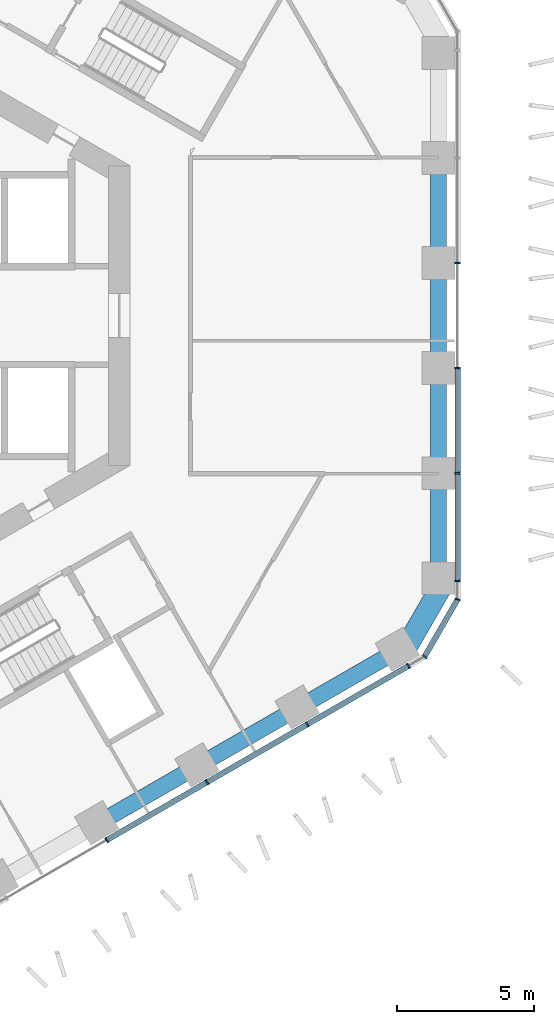
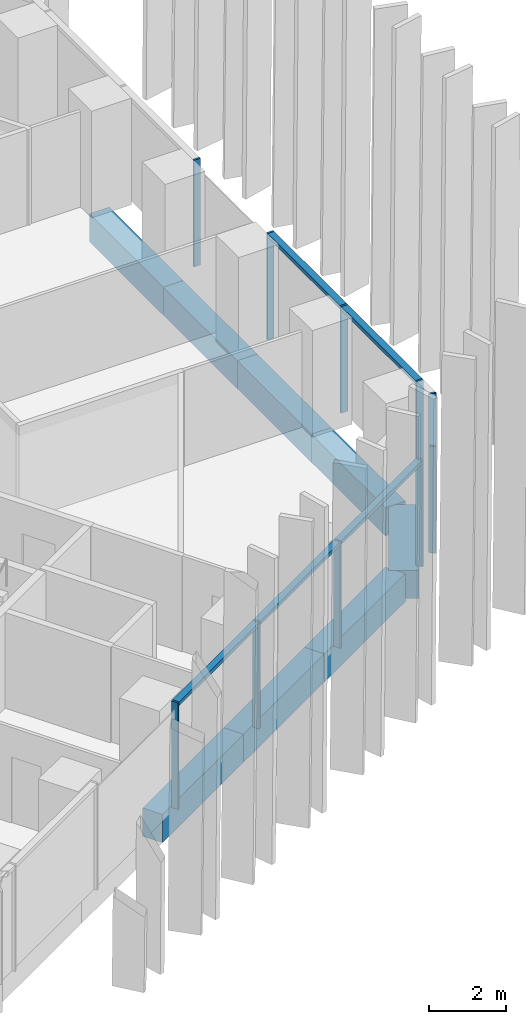
# One storey, part 4 of 19: 13 members, 8 beams, 3 elements without a shape of their own.
"""IFC4 building model written with IfcOpenShell, lengths in metres."""

from ifc_helpers import new_model, si_unit, direction, frame, origin, origin_2d, place, context, subcontext, project, spatial, rectangle, extrude, material, layer, layer_set, material_profile, profile_set, type_object, element, aggregate, save


model = new_model("IFC4")

# Units and contexts
model_context = context("Model", 3, precision=1e-05, world=origin(), true_north=direction((0.0, 1.0)))
body_context = subcontext(model_context, "Body", "Model", "MODEL_VIEW")
ifc_project = project(units=[si_unit("LENGTHUNIT", "METRE"), si_unit("AREAUNIT", "SQUARE_METRE"), si_unit("VOLUMEUNIT", "CUBIC_METRE"), si_unit("PLANEANGLEUNIT", "RADIAN"), si_unit("MASSUNIT", "GRAM", prefix="KILO")], contexts=[model_context])

# Site, building, storey
site_placement = place(None, origin())
site = spatial("IfcSite", under=ifc_project, at=site_placement, CompositionType="ELEMENT")
building_placement = place(site_placement, origin())
building = spatial("IfcBuilding", under=site, at=building_placement, Name="Ayvan Gate Tower", CompositionType="ELEMENT")
storey_placement = place(building_placement, frame((0.0, 0.0, 56.10009765625)))
storey = spatial("IfcBuildingStorey", under=building, at=storey_placement, Name="L14", CompositionType="ELEMENT", Elevation=56.10009765625)

# Beams
ifc_material_1 = material(Name="Concrete C40/50", Category="concrete")
ifc_material_profile_1 = material_profile(ifc_material_1, rectangle(XDim=0.800048828125, YDim=0.89990234375, at=origin_2d()), Name="RC 800x900")
ifc_profile_set_1 = profile_set([ifc_material_profile_1], Name="Concrete C40/50")
beam_type_1 = type_object("IfcBeamType", Name="Corner spandrel beam RC 800x900 C40/50", PredefinedType="BEAM", material=ifc_profile_set_1)
beam_1_placement = place(storey_placement, frame((19.47509765625, -12.37548828125, -0.800048828125), z_axis=(0.499990139034, 0.866031096941, 0.0), x_axis=(-0.866031096941, 0.499990139034, 0.0)))
element("IfcBeam", 1, at=beam_1_placement, inside=storey, type_object=beam_type_1, Name="SB-L14-36", PredefinedType="BEAM", context=body_context, shape_type="SweptSolid", body=[
    extrude(rectangle(XDim=0.800048828125, YDim=0.89990234375, at=origin_2d()), origin(), (0.0, 0.0, 1.0), 3.0),
])
ifc_material_profile_2 = material_profile(ifc_material_1, rectangle(XDim=0.60009765625, YDim=0.89990234375, at=origin_2d()), Name="RC 600x900")
ifc_profile_set_2 = profile_set([ifc_material_profile_2], Name="Concrete C40/50")
beam_type_2 = type_object("IfcBeamType", Name="Spandrel beam RC 600x900 C40/50", PredefinedType="BEAM", material=ifc_profile_set_2)
for number, where, z_axis, x_axis, name in (
    (2, (20.78466796875, -9.667236328125, -0.800048828125), (0.0, 1.0, 0.0), (-1.0, 0.0, 0.0), "SB-L14-1"),
    (3, (20.78466796875, -5.80029296875, -0.800048828125), (0.0, 1.0, 0.0), (-1.0, 0.0, 0.0), "SB-L14-2"),
):
    element("IfcBeam", number, at=place(storey_placement, frame(where, z_axis=z_axis, x_axis=x_axis)), inside=storey, type_object=beam_type_2, Name=name, PredefinedType="BEAM", context=body_context, shape_type="SweptSolid", body=[
        extrude(rectangle(XDim=0.60009765625, YDim=0.89990234375, at=origin_2d()), origin(), (0.0, 0.0, 1.0), 3.866943359375),
    ])
beam_2_placement = place(storey_placement, frame((20.78466796875, -1.933349609375, -0.800048828125), z_axis=(0.0, 1.0, 0.0), x_axis=(-1.0, 0.0, 0.0)))
element("IfcBeam", 4, at=beam_2_placement, inside=storey, type_object=beam_type_2, Name="SB-L14-3", PredefinedType="BEAM", context=body_context, shape_type="SweptSolid", body=[
    extrude(rectangle(XDim=0.60009765625, YDim=0.89990234375, at=origin_2d()), origin(), (0.0, 0.0, 1.0), 3.86669921875),
])
beam_3_placement = place(storey_placement, frame((20.78466796875, 1.933349609375, -0.800048828125), z_axis=(0.0, 1.0, 0.0), x_axis=(-1.0, 0.0, 0.0)))
element("IfcBeam", 5, at=beam_3_placement, inside=storey, type_object=beam_type_2, Name="SB-L14-4", PredefinedType="BEAM", context=body_context, shape_type="SweptSolid", body=[
    extrude(rectangle(XDim=0.60009765625, YDim=0.89990234375, at=origin_2d()), origin(), (0.0, 0.0, 1.0), 3.866943359375),
])
for number, where, z_axis, x_axis, name in (
    (6, (8.3017578125, -18.6064453125, -0.800048828125), (0.866009580528, 0.500027405683, 0.0), (-0.500027405683, 0.866009580528, 0.0), "SB-L14-33"),
    (7, (11.962646484375, -16.49267578125, -0.800048828125), (0.86603458896, 0.499984090472, 0.0), (-0.499984090472, 0.86603458896, 0.0), "SB-L14-34"),
):
    element("IfcBeam", number, at=place(storey_placement, frame(where, z_axis=z_axis, x_axis=x_axis)), inside=storey, type_object=beam_type_2, Name=name, PredefinedType="BEAM", context=body_context, shape_type="SweptSolid", body=[
        extrude(rectangle(XDim=0.60009765625, YDim=0.89990234375, at=origin_2d()), origin(), (0.0, 0.0, 1.0), 4.227294921875),
    ])
beam_4_placement = place(storey_placement, frame((15.62353515625, -14.379150390625, -0.800048828125), z_axis=(0.866024019333, 0.500002397932, 0.0), x_axis=(-0.500002397932, 0.866024019333, 0.0)))
element("IfcBeam", 8, at=beam_4_placement, inside=storey, type_object=beam_type_2, Name="SB-L14-35", PredefinedType="BEAM", context=body_context, shape_type="SweptSolid", body=[
    extrude(rectangle(XDim=0.60009765625, YDim=0.89990234375, at=origin_2d()), origin(), (0.0, 0.0, 1.0), 4.2275390625),
])

# Curtain wall, members
ifc_material_2 = material(Name="Bronze anodised aluminium", Category="aluminium")
ifc_layer_1 = layer(ifc_material_2, 0.199951171875)
ifc_layer_set_1 = layer_set([ifc_layer_1], Name="Bronze anodised aluminium")
curtain_wall_type_1 = type_object("IfcCurtainWallType", Name="Stick curtain wall CW-1", PredefinedType="NOTDEFINED", material=ifc_layer_set_1)
curtain_wall_1_placement = place(storey_placement, origin())
curtain_wall_1 = element("IfcCurtainWall", 9, at=curtain_wall_1_placement, inside=storey, type_object=curtain_wall_type_1, Name="Stick curtain wall CW-1 L14", PredefinedType="NOTDEFINED")
ifc_material_profile_3 = material_profile(ifc_material_2, rectangle(XDim=0.199951171875, YDim=0.06005859375, at=origin_2d()), Name="Stick curtain wall CW-1 mullion 200 x 60")
ifc_profile_set_3 = profile_set([ifc_material_profile_3], Name="Bronze anodised aluminium")
member_type_1 = type_object("IfcMemberType", Name="Stick curtain wall CW-1 mullion 200 x 60", PredefinedType="MULLION", material=ifc_profile_set_3)
member_1_placement = place(storey_placement, frame((8.640625, -19.202880859375, 0.0), z_axis=(0.0, 0.0, 1.0), x_axis=(0.5, -0.866025403784, 0.0)))
member_1 = element("IfcMember", 10, at=member_1_placement, type_object=member_type_1, Name="CW-1 mullion 3", PredefinedType="MULLION", context=body_context, shape_type="SweptSolid", body=[
    extrude(rectangle(XDim=0.199951171875, YDim=0.06005859375, at=origin_2d()), origin(), (0.0, 0.0, 1.0), 3.39990234375),
])
member_2_placement = place(storey_placement, frame((12.309814453125, -17.08447265625, 0.0), z_axis=(0.0, 0.0, 1.0), x_axis=(0.5, -0.866025403784, 0.0)))
member_2 = element("IfcMember", 11, at=member_2_placement, type_object=member_type_1, Name="CW-1 mullion 4", PredefinedType="MULLION", context=body_context, shape_type="SweptSolid", body=[
    extrude(rectangle(XDim=0.199951171875, YDim=0.06005859375, at=origin_2d()), origin(), (0.0, 0.0, 1.0), 3.39990234375),
])
member_3_placement = place(storey_placement, frame((15.980224609375, -14.96533203125, 0.0), z_axis=(0.0, 0.0, 1.0), x_axis=(0.5, -0.866025403784, 0.0)))
member_3 = element("IfcMember", 12, at=member_3_placement, type_object=member_type_1, Name="CW-1 mullion 5", PredefinedType="MULLION", context=body_context, shape_type="SweptSolid", body=[
    extrude(rectangle(XDim=0.199951171875, YDim=0.06005859375, at=origin_2d()), origin(), (0.0, 0.0, 1.0), 3.39990234375),
])
member_4_placement = place(storey_placement, frame((19.6884765625, -12.824462890625, 0.0), z_axis=(0.0, 0.0, 1.0), x_axis=(0.5, -0.866025403784, 0.0)))
member_4 = element("IfcMember", 13, at=member_4_placement, type_object=member_type_1, Name="CW-1 mullion 6", PredefinedType="MULLION", context=body_context, shape_type="SweptSolid", body=[
    extrude(rectangle(XDim=0.199951171875, YDim=0.06005859375, at=origin_2d()), origin(), (0.0, 0.0, 1.0), 3.39990234375),
])

curtain_wall_2_placement = place(storey_placement, origin())
curtain_wall_2 = element("IfcCurtainWall", 14, at=curtain_wall_2_placement, inside=storey, type_object=curtain_wall_type_1, Name="Stick curtain wall CW-1 L14", PredefinedType="NOTDEFINED")
member_5_placement = place(storey_placement, frame((21.484619140625, -9.71337890625, 0.0), z_axis=(0.0, 0.0, 1.0), x_axis=(1.0, 0.0, 0.0)))
member_5 = element("IfcMember", 15, at=member_5_placement, type_object=member_type_1, Name="CW-1 mullion 1", PredefinedType="MULLION", context=body_context, shape_type="SweptSolid", body=[
    extrude(rectangle(XDim=0.199951171875, YDim=0.06005859375, at=origin_2d()), origin(), (0.0, 0.0, 1.0), 3.39990234375),
])
member_6_placement = place(storey_placement, frame((21.484619140625, -5.770263671875, 0.0), z_axis=(0.0, 0.0, 1.0), x_axis=(1.0, 0.0, 0.0)))
member_6 = element("IfcMember", 16, at=member_6_placement, type_object=member_type_1, Name="CW-1 mullion 2", PredefinedType="MULLION", context=body_context, shape_type="SweptSolid", body=[
    extrude(rectangle(XDim=0.199951171875, YDim=0.06005859375, at=origin_2d()), origin(), (0.0, 0.0, 1.0), 3.39990234375),
])
member_7_placement = place(storey_placement, frame((21.484619140625, -1.92333984375, 0.0), z_axis=(0.0, 0.0, 1.0), x_axis=(1.0, 0.0, 0.0)))
member_7 = element("IfcMember", 17, at=member_7_placement, type_object=member_type_1, Name="CW-1 mullion 3", PredefinedType="MULLION", context=body_context, shape_type="SweptSolid", body=[
    extrude(rectangle(XDim=0.199951171875, YDim=0.06005859375, at=origin_2d()), origin(), (0.0, 0.0, 1.0), 3.39990234375),
])
member_8_placement = place(storey_placement, frame((21.484619140625, 1.923583984375, 0.0), z_axis=(0.0, 0.0, 1.0), x_axis=(1.0, 0.0, 0.0)))
member_8 = element("IfcMember", 18, at=member_8_placement, type_object=member_type_1, Name="CW-1 mullion 4", PredefinedType="MULLION", context=body_context, shape_type="SweptSolid", body=[
    extrude(rectangle(XDim=0.199951171875, YDim=0.06005859375, at=origin_2d()), origin(), (0.0, 0.0, 1.0), 3.39990234375),
])

# Member
ifc_material_profile_4 = material_profile(ifc_material_2, rectangle(XDim=0.199951171875, YDim=0.1201171875, at=origin_2d()), Name="Stick curtain wall CW-1 transom 200 x 120")
ifc_profile_set_4 = profile_set([ifc_material_profile_4], Name="Bronze anodised aluminium")
member_type_2 = type_object("IfcMemberType", Name="Stick curtain wall CW-1 transom 200 x 120", PredefinedType="USERDEFINED", material=ifc_profile_set_4)
member_9_placement = place(storey_placement, frame((8.66650390625, -19.18798828125, 3.33984375), z_axis=(0.866025862736, 0.499999205072, 0.0), x_axis=(-0.499999205072, 0.866025862736, 0.0)))
member_9 = element("IfcMember", 19, at=member_9_placement, type_object=member_type_2, Name="CW-1 transom 2", ObjectType="TRANSOM", PredefinedType="USERDEFINED", context=body_context, shape_type="SweptSolid", body=[
    extrude(rectangle(XDim=0.199951171875, YDim=0.1201171875, at=origin_2d()), origin(), (0.0, 0.0, 1.0), 12.72705078125),
])

aggregate(curtain_wall_1, [member_1, member_2, member_3, member_4, member_9])

member_10_placement = place(storey_placement, frame((21.484619140625, -9.71337890625, 3.33984375), z_axis=(0.0, 1.0, 0.0), x_axis=(-1.0, 0.0, 0.0)))
member_10 = element("IfcMember", 20, at=member_10_placement, type_object=member_type_2, Name="CW-1 transom 1", ObjectType="TRANSOM", PredefinedType="USERDEFINED", context=body_context, shape_type="SweptSolid", body=[
    extrude(rectangle(XDim=0.199951171875, YDim=0.1201171875, at=origin_2d()), origin(), (0.0, 0.0, 1.0), 7.760009765625),
])

aggregate(curtain_wall_2, [member_5, member_6, member_7, member_8, member_10])

# Curtain wall, members
ifc_layer_2 = layer(ifc_material_2, 0.199951171875)
ifc_layer_set_2 = layer_set([ifc_layer_2], Name="Bronze anodised aluminium")
curtain_wall_type_2 = type_object("IfcCurtainWallType", Name="Stick curtain wall CW-6", PredefinedType="NOTDEFINED", material=ifc_layer_set_2)
curtain_wall_3_placement = place(storey_placement, origin())
curtain_wall_3 = element("IfcCurtainWall", 21, at=curtain_wall_3_placement, inside=storey, type_object=curtain_wall_type_2, Name="Stick curtain wall CW-6 L14", PredefinedType="NOTDEFINED")
ifc_material_profile_5 = material_profile(ifc_material_2, rectangle(XDim=0.199951171875, YDim=0.050048828125, at=origin_2d()), Name="Stick curtain wall CW-6 mullion 200 x 50")
ifc_profile_set_5 = profile_set([ifc_material_profile_5], Name="Bronze anodised aluminium")
member_type_3 = type_object("IfcMemberType", Name="Stick curtain wall CW-6 mullion 200 x 50", PredefinedType="MULLION", material=ifc_profile_set_5)
member_11_placement = place(storey_placement, frame((20.27734375, -12.484375, 0.0), z_axis=(0.0, 0.0, 1.0), x_axis=(0.707106781187, -0.707106781187, 0.0)))
member_11 = element("IfcMember", 22, at=member_11_placement, type_object=member_type_3, Name="CW-6 mullion 2", PredefinedType="MULLION", context=body_context, shape_type="SweptSolid", body=[
    extrude(rectangle(XDim=0.199951171875, YDim=0.050048828125, at=origin_2d()), origin(), (0.0, 0.0, 1.0), 3.39990234375),
])
member_12_placement = place(storey_placement, frame((21.484619140625, -10.393310546875, 0.0), z_axis=(0.0, 0.0, 1.0), x_axis=(0.965925826289, -0.258819045103, 0.0)))
member_12 = element("IfcMember", 23, at=member_12_placement, type_object=member_type_3, Name="CW-6 mullion 3", PredefinedType="MULLION", context=body_context, shape_type="SweptSolid", body=[
    extrude(rectangle(XDim=0.199951171875, YDim=0.050048828125, at=origin_2d()), origin(), (0.0, 0.0, 1.0), 3.39990234375),
])
ifc_material_profile_6 = material_profile(ifc_material_2, rectangle(XDim=0.199951171875, YDim=0.1201171875, at=origin_2d()), Name="Stick curtain wall CW-6 transom 200 x 120")
ifc_profile_set_6 = profile_set([ifc_material_profile_6], Name="Bronze anodised aluminium")
member_type_4 = type_object("IfcMemberType", Name="Stick curtain wall CW-6 transom 200 x 120", PredefinedType="USERDEFINED", material=ifc_profile_set_6)
member_13_placement = place(storey_placement, frame((20.289794921875, -12.462646484375, 3.33984375), z_axis=(0.500059108572, 0.865991274745, 0.0), x_axis=(-0.865991274745, 0.500059108572, 0.0)))
member_13 = element("IfcMember", 24, at=member_13_placement, type_object=member_type_4, Name="CW-6 transom 2", ObjectType="TRANSOM", PredefinedType="USERDEFINED", context=body_context, shape_type="SweptSolid", body=[
    extrude(rectangle(XDim=0.199951171875, YDim=0.1201171875, at=origin_2d()), origin(), (0.0, 0.0, 1.0), 2.364501953125),
])
aggregate(curtain_wall_3, [member_11, member_12, member_13])

save(model, "model.ifc")
